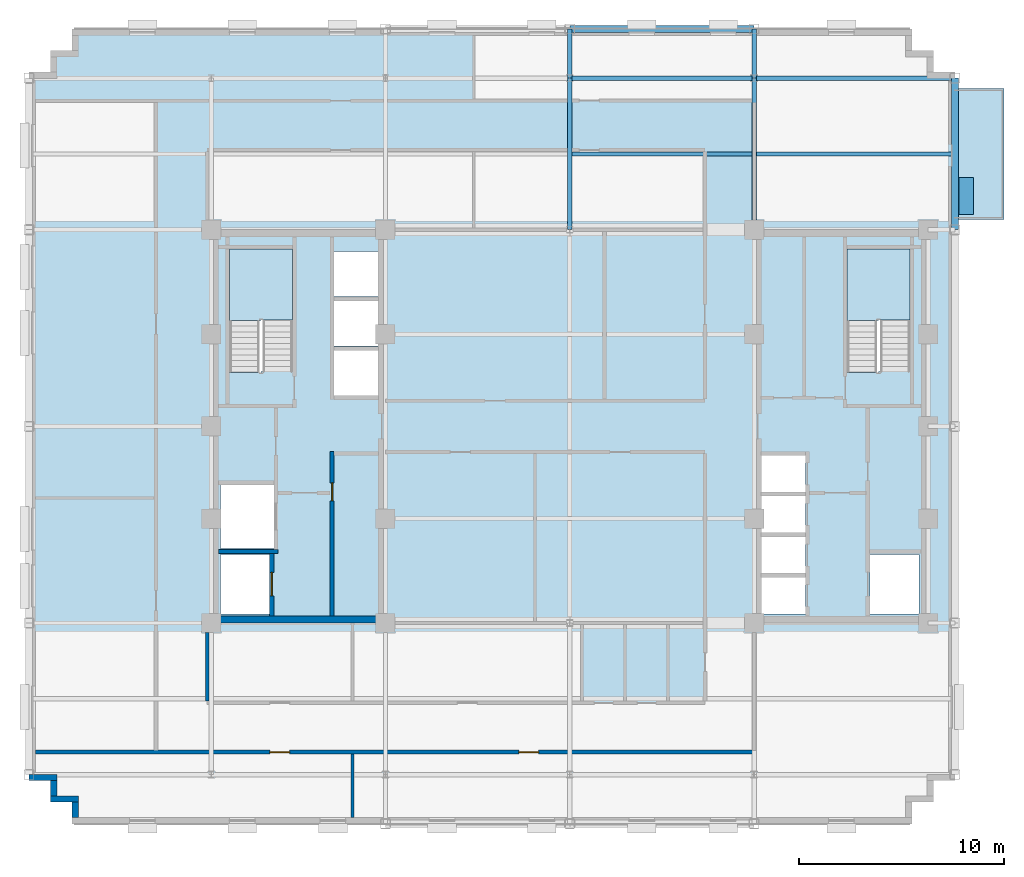
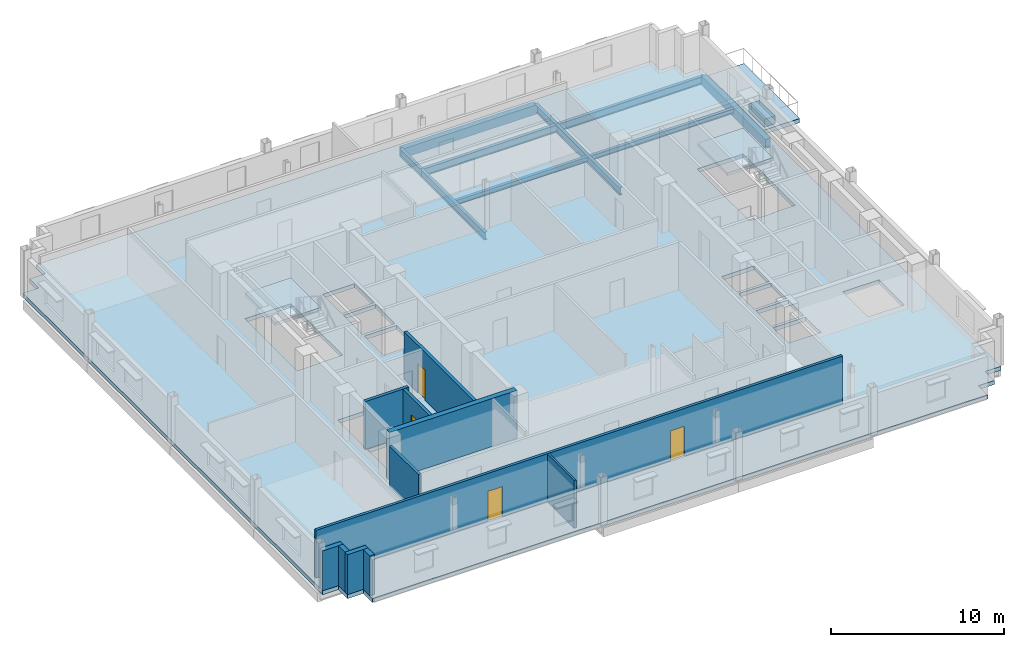
# One storey, part 5 of 13: 11 walls, 10 beams, 4 doors, 4 slabs, 1 plate, 4 openings, 2 elements without a shape of their own.
"""IFC4 building model written with IfcOpenShell, lengths in metres."""

from ifc_helpers import new_model, si_unit, direction, frame, frame_2d, origin, origin_2d, place, context, subcontext, project, spatial, polyline, rectangle, i_section, outline, extrude, source, transform, mapped, material, layer, layer_set, material_profile, profile_set, type_object, type_shapes, element, fill, aggregate, save


model = new_model("IFC4")

# Units and contexts
model_context = context("Model", 3, precision=1e-05, world=origin(), true_north=direction((0.0, 1.0)))
body_context = subcontext(model_context, "Body", "Model", "MODEL_VIEW")
ifc_project = project(units=[si_unit("LENGTHUNIT", "METRE"), si_unit("AREAUNIT", "SQUARE_METRE"), si_unit("VOLUMEUNIT", "CUBIC_METRE"), si_unit("PLANEANGLEUNIT", "RADIAN"), si_unit("MASSUNIT", "GRAM", prefix="KILO")], contexts=[model_context])

# Site, building, storey
site_placement = place(None, origin())
site = spatial("IfcSite", under=ifc_project, at=site_placement, CompositionType="ELEMENT")
building_placement = place(site_placement, origin())
building = spatial("IfcBuilding", under=site, at=building_placement, Name="Nuvemarco Arch Tower", CompositionType="ELEMENT")
storey_placement = place(building_placement, frame((0.0, 0.0, 220.10009765625)))
storey = spatial("IfcBuildingStorey", under=building, at=storey_placement, Name="L58", CompositionType="ELEMENT", Elevation=220.10009765625)

# Beams
ifc_material_1 = material(Name="Steel S355", Category="steel")
ifc_material_profile_1 = material_profile(ifc_material_1, i_section(OverallWidth=0.2109375, OverallDepth=0.5390625, WebThickness=0.01171875, FlangeThickness=0.018798828125, FilletRadius=0.01611328125, at=origin_2d()), Name="W530x109")
ifc_profile_set_1 = profile_set([ifc_material_profile_1], Name="Steel S355")
beam_type_1 = type_object("IfcBeamType", Name="BM-GIRD-530", PredefinedType="BEAM", material=ifc_profile_set_1)
beam_1_placement = place(storey_placement, frame((0.0, 9.60009765625, -0.549560546875), z_axis=(0.0, 1.0, 0.0), x_axis=(-1.0, 0.0, 0.0)))
element("IfcBeam", 1, at=beam_1_placement, inside=storey, type_object=beam_type_1, Name="L58 structural beam BGNS_L58_0_+0.0_+9.6", PredefinedType="BEAM", context=body_context, shape_type="SweptSolid", body=[
    extrude(i_section(OverallWidth=0.2109375, OverallDepth=0.5390625, WebThickness=0.01171875, FlangeThickness=0.018798828125, FilletRadius=0.01611328125, at=origin_2d()), origin(), (0.0, 0.0, 1.0), 7.39990234375),
])
beam_2_placement = place(storey_placement, frame((0.0, 17.0, -0.549560546875), z_axis=(0.0, 1.0, 0.0), x_axis=(-1.0, 0.0, 0.0)))
element("IfcBeam", 2, at=beam_2_placement, inside=storey, type_object=beam_type_1, Name="L58 structural beam BGNS_L58_0_+0.0_+17.0", PredefinedType="BEAM", context=body_context, shape_type="SweptSolid", body=[
    extrude(i_section(OverallWidth=0.2109375, OverallDepth=0.5390625, WebThickness=0.01171875, FlangeThickness=0.018798828125, FilletRadius=0.01611328125, at=origin_2d()), origin(), (0.0, 0.0, 1.0), 2.39990234375),
])
beam_3_placement = place(storey_placement, frame((9.0, 9.60009765625, -0.549560546875), z_axis=(0.0, 1.0, 0.0), x_axis=(-1.0, 0.0, 0.0)))
element("IfcBeam", 3, at=beam_3_placement, inside=storey, type_object=beam_type_1, Name="L58 structural beam BGNS_L58_0_+9.0_+9.6", PredefinedType="BEAM", context=body_context, shape_type="SweptSolid", body=[
    extrude(i_section(OverallWidth=0.2109375, OverallDepth=0.5390625, WebThickness=0.01171875, FlangeThickness=0.018798828125, FilletRadius=0.01611328125, at=origin_2d()), origin(), (0.0, 0.0, 1.0), 7.39990234375),
])
beam_4_placement = place(storey_placement, frame((9.0, 17.0, -0.549560546875), z_axis=(0.0, 1.0, 0.0), x_axis=(-1.0, 0.0, 0.0)))
element("IfcBeam", 4, at=beam_4_placement, inside=storey, type_object=beam_type_1, Name="L58 structural beam BGNS_L58_0_+9.0_+17.0", PredefinedType="BEAM", context=body_context, shape_type="SweptSolid", body=[
    extrude(i_section(OverallWidth=0.2109375, OverallDepth=0.5390625, WebThickness=0.01171875, FlangeThickness=0.018798828125, FilletRadius=0.01611328125, at=origin_2d()), origin(), (0.0, 0.0, 1.0), 2.39990234375),
])
beam_5_placement = place(storey_placement, frame((0.0, 17.0, -0.549560546875), z_axis=(1.0, 0.0, 0.0), x_axis=(0.0, 1.0, 0.0)))
element("IfcBeam", 5, at=beam_5_placement, inside=storey, type_object=beam_type_1, Name="L58 structural beam BGEW_L58_0_+17.0_+0.0", PredefinedType="BEAM", context=body_context, shape_type="SweptSolid", body=[
    extrude(i_section(OverallWidth=0.2109375, OverallDepth=0.5390625, WebThickness=0.01171875, FlangeThickness=0.018798828125, FilletRadius=0.01611328125, at=origin_2d()), origin(), (0.0, 0.0, 1.0), 9.0),
])
beam_6_placement = place(storey_placement, frame((9.0, 17.0, -0.549560546875), z_axis=(1.0, 0.0, 0.0), x_axis=(0.0, 1.0, 0.0)))
element("IfcBeam", 6, at=beam_6_placement, inside=storey, type_object=beam_type_1, Name="L58 structural beam BGEW_L58_0_+17.0_+9.0", PredefinedType="BEAM", context=body_context, shape_type="SweptSolid", body=[
    extrude(i_section(OverallWidth=0.2109375, OverallDepth=0.5390625, WebThickness=0.01171875, FlangeThickness=0.018798828125, FilletRadius=0.01611328125, at=origin_2d()), origin(), (0.0, 0.0, 1.0), 9.800048828125),
])
ifc_material_profile_2 = material_profile(ifc_material_1, i_section(OverallWidth=0.202880859375, OverallDepth=0.346923828125, WebThickness=0.0078125, FlangeThickness=0.013427734375, FilletRadius=0.014892578125, at=origin_2d()), Name="W360x64")
ifc_profile_set_2 = profile_set([ifc_material_profile_2], Name="Steel S355")
beam_type_2 = type_object("IfcBeamType", Name="BM-JOIST-360", PredefinedType="JOIST", material=ifc_profile_set_2)
beam_7_placement = place(storey_placement, frame((0.10546875, 13.300048828125, -0.45361328125), z_axis=(1.0, 0.0, 0.0), x_axis=(0.0, 1.0, 0.0)))
element("IfcBeam", 7, at=beam_7_placement, inside=storey, type_object=beam_type_2, Name="L58 structural beam BJ_L58_0_+13.3_+0.0", PredefinedType="JOIST", context=body_context, shape_type="SweptSolid", body=[
    extrude(i_section(OverallWidth=0.202880859375, OverallDepth=0.346923828125, WebThickness=0.0078125, FlangeThickness=0.013427734375, FilletRadius=0.014892578125, at=origin_2d()), origin(), (0.0, 0.0, 1.0), 8.7890625),
])
beam_8_placement = place(storey_placement, frame((9.10546875, 13.300048828125, -0.45361328125), z_axis=(1.0, 0.0, 0.0), x_axis=(0.0, 1.0, 0.0)))
element("IfcBeam", 8, at=beam_8_placement, inside=storey, type_object=beam_type_2, Name="L58 structural beam BJ_L58_0_+13.3_+9.0", PredefinedType="JOIST", context=body_context, shape_type="SweptSolid", body=[
    extrude(i_section(OverallWidth=0.202880859375, OverallDepth=0.346923828125, WebThickness=0.0078125, FlangeThickness=0.013427734375, FilletRadius=0.014892578125, at=origin_2d()), origin(), (0.0, 0.0, 1.0), 9.51953125),
])
ifc_material_2 = material(Name="Precast concrete C45/55", Category="concrete")
ifc_material_profile_3 = material_profile(ifc_material_2, rectangle(XDim=0.35009765625, YDim=0.64990234375, at=origin_2d()), Name="PC-SP-350x650")
ifc_profile_set_3 = profile_set([ifc_material_profile_3], Name="Precast concrete C45/55")
beam_type_3 = type_object("IfcBeamType", Name="BM-SPAN-RC", PredefinedType="SPANDREL", material=ifc_profile_set_3)
beam_9_placement = place(storey_placement, frame((18.800048828125, 9.60009765625, -0.60498046875), z_axis=(0.0, 1.0, 0.0), x_axis=(-1.0, 0.0, 0.0)))
element("IfcBeam", 9, at=beam_9_placement, inside=storey, type_object=beam_type_3, Name="L58 structural beam BGNS_L58_0_+18.8_+9.6", PredefinedType="SPANDREL", context=body_context, shape_type="SweptSolid", body=[
    extrude(rectangle(XDim=0.35009765625, YDim=0.64990234375, at=origin_2d()), origin(), (0.0, 0.0, 1.0), 7.39990234375),
])
beam_10_placement = place(storey_placement, frame((0.0, 19.39990234375, -0.60498046875), z_axis=(1.0, 0.0, 0.0), x_axis=(0.0, 1.0, 0.0)))
element("IfcBeam", 10, at=beam_10_placement, inside=storey, type_object=beam_type_3, Name="L58 structural beam BGEW_L58_0_+19.4_+0.0", PredefinedType="SPANDREL", context=body_context, shape_type="SweptSolid", body=[
    extrude(rectangle(XDim=0.35009765625, YDim=0.64990234375, at=origin_2d()), origin(), (0.0, 0.0, 1.0), 9.0),
])

# Slab
ifc_material_3 = material(Name="Concrete C50/60", Category="concrete")
ifc_layer_1 = layer(ifc_material_3, 0.280029296875, Name="SL-FLR-280")
ifc_layer_set_1 = layer_set([ifc_layer_1], Name="Concrete C50/60")
slab_type_1 = type_object("IfcSlabType", Name="SL-FLR-280", PredefinedType="FLOOR", material=ifc_layer_set_1)
slab_1_placement = place(storey_placement, frame((0.0, 0.0, -0.280029296875)))
element("IfcSlab", 11, at=slab_1_placement, inside=storey, type_object=slab_type_1, Name="L58 structural floor slab", PredefinedType="FLOOR", context=body_context, shape_type="SweptSolid", body=[
    extrude(outline(polyline([(-24.300048828125, -19.39990234375), (16.699951171875, -19.39990234375), (16.699951171875, -18.35009765625), (17.75, -18.35009765625), (17.75, -17.300048828125), (18.800048828125, -17.300048828125), (18.800048828125, 17.300048828125), (17.75, 17.300048828125), (17.75, 18.35009765625), (16.699951171875, 18.35009765625), (16.699951171875, 19.39990234375), (-24.300048828125, 19.39990234375), (-24.300048828125, 18.35009765625), (-25.35009765625, 18.35009765625), (-25.35009765625, 17.300048828125), (-26.39990234375, 17.300048828125), (-26.39990234375, -17.300048828125), (-25.35009765625, -17.300048828125), (-25.35009765625, -18.35009765625), (-24.300048828125, -18.35009765625), (-24.300048828125, -19.39990234375)]), holes=[polyline([(-13.5400390625, 2.669921875), (-13.5400390625, 8.64990234375), (-16.60009765625, 8.64990234375), (-16.60009765625, 2.630615234375), (-15.070068359375, 2.630615234375), (-15.070068359375, 2.669921875), (-13.5400390625, 2.669921875)]), polyline([(16.60009765625, 2.669921875), (16.60009765625, 8.64990234375), (13.5400390625, 8.64990234375), (13.5400390625, 2.630615234375), (15.070068359375, 2.630615234375), (15.070068359375, 2.669921875), (16.60009765625, 2.669921875)]), polyline([(-17.050048828125, -9.14990234375), (-14.64990234375, -9.14990234375), (-14.64990234375, -6.25), (-17.050048828125, -6.25), (-17.050048828125, -9.14990234375)]), polyline([(-17.050048828125, -5.949951171875), (-14.449951171875, -5.949951171875), (-14.449951171875, -2.85009765625), (-17.050048828125, -2.85009765625), (-17.050048828125, -5.949951171875)]), polyline([(-11.5, 1.5), (-9.35009765625, 1.5), (-9.35009765625, 3.699951171875), (-11.5, 3.699951171875), (-11.5, 1.5)]), polyline([(-11.5, 3.919921875), (-9.35009765625, 3.919921875), (-9.35009765625, 6.1201171875), (-11.5, 6.1201171875), (-11.5, 3.919921875)]), polyline([(-11.5, 6.340087890625), (-9.35009765625, 6.340087890625), (-9.35009765625, 8.5400390625), (-11.5, 8.5400390625), (-11.5, 6.340087890625)]), polyline([(14.64990234375, -9.14990234375), (17.050048828125, -9.14990234375), (17.050048828125, -6.25), (14.64990234375, -6.25), (14.64990234375, -9.14990234375)]), polyline([(9.35009765625, -9.14990234375), (11.5, -9.14990234375), (11.5, -7.3701171875), (9.35009765625, -7.3701171875), (9.35009765625, -9.14990234375)]), polyline([(9.35009765625, -7.169921875), (11.5, -7.169921875), (11.5, -5.389892578125), (9.35009765625, -5.389892578125), (9.35009765625, -7.169921875)]), polyline([(9.35009765625, -5.18994140625), (11.5, -5.18994140625), (11.5, -3.409912109375), (9.35009765625, -3.409912109375), (9.35009765625, -5.18994140625)]), polyline([(9.35009765625, -3.2099609375), (11.5, -3.2099609375), (11.5, -1.429931640625), (9.35009765625, -1.429931640625), (9.35009765625, -3.2099609375)])]), origin(), (0.0, 0.0, 1.0), 0.280029296875),
])

# Stair, slab
stair_type = type_object("IfcStairType", Name="ST-CORE-20R", PredefinedType="HALF_TURN_STAIR", material=ifc_material_2)
stair_1_placement = place(storey_placement, origin())
stair_1 = element("IfcStair", 12, at=stair_1_placement, inside=storey, type_object=stair_type, Name="L58 Protected Exit Stair ST-1", PredefinedType="HALF_TURN_STAIR")
ifc_layer_2 = layer(ifc_material_2, 0.199951171875, Name="SL-LANDING-200")
ifc_layer_set_2 = layer_set([ifc_layer_2], Name="Precast concrete C45/55")
slab_type_2 = type_object("IfcSlabType", Name="SL-LANDING-200", PredefinedType="LANDING", material=ifc_layer_set_2)
slab_2_placement = place(storey_placement, frame((0.0, 0.0, 1.625)))
slab_2 = element("IfcSlab", 13, at=slab_2_placement, type_object=slab_type_2, Name="ST-20R landing 1", PredefinedType="LANDING", context=body_context, shape_type="SweptSolid", body=[
    extrude(outline(polyline([(-13.5400390625, 5.189453125), (-13.5400390625, 8.64990234375), (-16.60009765625, 8.64990234375), (-16.60009765625, 5.169921875), (-15.070068359375, 5.169921875), (-15.070068359375, 5.189453125), (-13.5400390625, 5.189453125)])), origin(), (0.0, 0.0, 1.0), 0.199951171875),
])
aggregate(stair_1, [slab_2])

stair_2_placement = place(storey_placement, origin())
stair_2 = element("IfcStair", 14, at=stair_2_placement, inside=storey, type_object=stair_type, Name="L58 Protected Exit Stair ST-2", PredefinedType="HALF_TURN_STAIR")
slab_3_placement = place(storey_placement, frame((0.0, 0.0, 1.625)))
slab_3 = element("IfcSlab", 15, at=slab_3_placement, type_object=slab_type_2, Name="ST-20R landing 1", PredefinedType="LANDING", context=body_context, shape_type="SweptSolid", body=[
    extrude(outline(polyline([(16.60009765625, 5.189453125), (16.60009765625, 8.64990234375), (13.5400390625, 8.64990234375), (13.5400390625, 5.169921875), (15.070068359375, 5.169921875), (15.070068359375, 5.189453125), (16.60009765625, 5.189453125)])), origin(), (0.0, 0.0, 1.0), 0.199951171875),
])
aggregate(stair_2, [slab_3])

# Slab
ifc_layer_3 = layer(ifc_material_3, 0.294921875, Name="SL-TR4")
ifc_layer_set_3 = layer_set([ifc_layer_3], Name="Concrete C50/60")
slab_type_3 = type_object("IfcSlabType", Name="SL-TR4", PredefinedType="FLOOR", material=ifc_layer_set_3)
slab_4_placement = place(storey_placement, frame((0.0, 0.0, -0.295166015625)))
element("IfcSlab", 16, at=slab_4_placement, inside=storey, type_object=slab_type_3, Name="L58 outdoor spiral terrace slab 1", PredefinedType="FLOOR", context=body_context, shape_type="SweptSolid", body=[
    extrude(outline(polyline([(18.800048828125, 10.10009765625), (21.199951171875, 10.10009765625), (21.199951171875, 16.5), (18.800048828125, 16.5), (18.800048828125, 10.10009765625)])), origin(), (0.0, 0.0, 1.0), 0.295166015625),
])

# Plate
ifc_layer_4 = layer(ifc_material_2, 0.550048828125, Name="Tree Balcony Structural Planter")
ifc_layer_set_4 = layer_set([ifc_layer_4], Name="Precast concrete C45/55")
plate_type = type_object("IfcPlateType", Name="Tree Balcony Structural Planter", PredefinedType="USERDEFINED", material=ifc_layer_set_4)
shared_shape_1 = source(origin(), body_context, "Body", "SweptSolid", [
    extrude(rectangle(XDim=1.800048828125, YDim=0.699951171875, at=origin_2d()), origin(), (0.0, 0.0, 1.0), 0.550048828125),
])
type_shapes(plate_type, [shared_shape_1])
plate_placement = place(storey_placement, frame((19.35009765625, 11.25, 0.0), z_axis=(0.0, 0.0, 1.0), x_axis=(0.0, 1.0, 0.0)))
element("IfcPlate", 17, at=plate_placement, inside=storey, type_object=plate_type, Name="L58 Tree Balcony Structural Planter", ObjectType="PLANTER", PredefinedType="USERDEFINED", context=body_context, shape_type="MappedRepresentation", body=[
    mapped(shared_shape_1, transform((0.0, 0.0, 0.0), scale=1.0)),
])

# Walls
ifc_layer_5 = layer(ifc_material_2, 0.31005859375, Name="EW-UPP-310")
ifc_layer_set_5 = layer_set([ifc_layer_5], Name="Precast concrete C45/55")
wall_type_1 = type_object("IfcWallType", Name="EW-UPP-310", PredefinedType="STANDARD", material=ifc_layer_set_5)
wall_1_placement = place(storey_placement, frame((-26.39990234375, -17.14501953125, 0.0), z_axis=(0.0, 0.0, 1.0), x_axis=(1.0, 0.0, 0.0)))
element("IfcWall", 18, at=wall_1_placement, inside=storey, type_object=wall_type_1, Name="L58 exterior precast facade wall 17", PredefinedType="STANDARD", context=body_context, shape_type="SweptSolid", body=[
    extrude(rectangle(XDim=1.35986328125, YDim=0.31005859375, at=frame_2d((0.679931640625, 0.0))), origin(), (0.0, 0.0, 1.0), 2.81591796875),
])
wall_2_placement = place(storey_placement, frame((-25.195068359375, -18.0439453125, 0.0), z_axis=(0.0, 0.0, 1.0), x_axis=(0.0, 1.0, 0.0)))
element("IfcWall", 19, at=wall_2_placement, inside=storey, type_object=wall_type_1, Name="L58 exterior precast facade wall 18", PredefinedType="STANDARD", context=body_context, shape_type="SweptSolid", body=[
    extrude(rectangle(XDim=0.748046875, YDim=0.31005859375, at=frame_2d((0.3740234375, 0.0))), origin(), (0.0, 0.0, 1.0), 2.81591796875),
])
wall_3_placement = place(storey_placement, frame((-25.35009765625, -18.195068359375, 0.0), z_axis=(0.0, 0.0, 1.0), x_axis=(1.0, 0.0, 0.0)))
element("IfcWall", 20, at=wall_3_placement, inside=storey, type_object=wall_type_1, Name="L58 exterior precast facade wall 19", PredefinedType="STANDARD", context=body_context, shape_type="SweptSolid", body=[
    extrude(rectangle(XDim=1.360107421875, YDim=0.31005859375, at=frame_2d((0.68017578125, 0.0))), origin(), (0.0, 0.0, 1.0), 2.81591796875),
])
wall_4_placement = place(storey_placement, frame((-24.14501953125, -19.093994140625, 0.0), z_axis=(0.0, 0.0, 1.0), x_axis=(0.0, 1.0, 0.0)))
element("IfcWall", 21, at=wall_4_placement, inside=storey, type_object=wall_type_1, Name="L58 exterior precast facade wall 20", PredefinedType="STANDARD", context=body_context, shape_type="SweptSolid", body=[
    extrude(rectangle(XDim=0.748046875, YDim=0.31005859375, at=frame_2d((0.3740234375, 0.0))), origin(), (0.0, 0.0, 1.0), 2.81591796875),
])
ifc_layer_6 = layer(ifc_material_3, 0.35009765625, Name="WL-CORE-350")
ifc_layer_set_6 = layer_set([ifc_layer_6], Name="Concrete C50/60")
wall_type_2 = type_object("IfcWallType", Name="WL-CORE-350", PredefinedType="SHEAR", material=ifc_layer_set_6)
wall_5_placement = place(storey_placement, frame((-17.5, -9.425048828125, 0.0), z_axis=(0.0, 0.0, 1.0), x_axis=(1.0, 0.0, 0.0)))
element("IfcWall", 22, at=wall_5_placement, inside=storey, type_object=wall_type_2, Name="L58 W-core shear wall S", PredefinedType="SHEAR", context=body_context, shape_type="SweptSolid", body=[
    extrude(rectangle(XDim=8.5, YDim=0.35009765625, at=frame_2d((4.25, 0.0))), origin(), (0.0, 0.0, 1.0), 3.369873046875),
])

# Wall, openings, doors
ifc_material_4 = material(Name="Fire-rated gypsum drywall partition")
ifc_layer_7 = layer(ifc_material_4, 0.179931640625, Name="WL-CORR-180")
ifc_layer_set_7 = layer_set([ifc_layer_7], Name="Fire-rated gypsum drywall partition")
wall_type_3 = type_object("IfcWallType", Name="WL-CORR-180", PredefinedType="PARTITIONING", material=ifc_layer_set_7)
wall_6_placement = place(storey_placement, frame((-26.090087890625, -15.89990234375, 0.0), z_axis=(0.0, 0.0, 1.0), x_axis=(1.0, 0.0, 0.0)))
wall_6 = element("IfcWall", 23, at=wall_6_placement, inside=storey, type_object=wall_type_3, Name="L58 interior wall IW-L58-001", PredefinedType="PARTITIONING", context=body_context, shape_type="SweptSolid", body=[
    extrude(rectangle(XDim=35.090087890625, YDim=0.179931640625, at=frame_2d((17.544921875, 0.0))), origin(), (0.0, 0.0, 1.0), 3.35986328125),
])
opening_1_placement = place(wall_6_placement, frame((23.60498046875, 0.0, 0.0)))
opening_1 = element("IfcOpeningElement", 24, at=opening_1_placement, cuts=wall_6, Name="Opening FD-5", PredefinedType="OPENING", context=body_context, shape_type="SweptSolid", body=[
    extrude(rectangle(XDim=0.9599609375, YDim=2.10009765625, at=frame_2d((0.47998046875, 1.050048828125))), frame((0.0, 0.099853515625, 0.0), z_axis=(0.0, -1.0, 0.0), x_axis=(1.0, 0.0, 0.0)), (0.0, 0.0, 1.0), 0.199951171875),
])
opening_2_placement = place(wall_6_placement, frame((11.455078125, 0.0, 0.0)))
opening_2 = element("IfcOpeningElement", 25, at=opening_2_placement, cuts=wall_6, Name="Opening FD-5", PredefinedType="OPENING", context=body_context, shape_type="SweptSolid", body=[
    extrude(rectangle(XDim=0.9599609375, YDim=2.10009765625, at=frame_2d((0.47998046875, 1.050048828125))), frame((0.0, 0.099853515625, 0.0), z_axis=(0.0, -1.0, 0.0), x_axis=(1.0, 0.0, 0.0)), (0.0, 0.0, 1.0), 0.199951171875),
])
ifc_material_5 = material(Name="Timber fire door", Category="wood")
door_type_1 = type_object("IfcDoorType", Name="DR-CORR-FD", OperationType="NOTDEFINED", PredefinedType="DOOR", material=ifc_material_5)
shared_shape_2 = source(origin(), body_context, "Body", "SweptSolid", [
    extrude(rectangle(XDim=0.9599609375, YDim=2.10009765625, at=frame_2d((0.47998046875, 1.050048828125))), frame((0.0, 0.02490234375, 0.0), z_axis=(0.0, -1.0, 0.0), x_axis=(1.0, 0.0, 0.0)), (0.0, 0.0, 1.0), 0.050048828125),
])
type_shapes(door_type_1, [shared_shape_2])
door_1_placement = place(opening_1_placement, origin())
door_1 = element("IfcDoor", 26, at=door_1_placement, inside=storey, type_object=door_type_1, Name="L58 door DR-L58-S_2", OperationType="SINGLE_SWING_RIGHT", OverallHeight=2.10009765625, OverallWidth=0.9599609375, PredefinedType="DOOR", context=body_context, shape_type="MappedRepresentation", body=[
    mapped(shared_shape_2, transform((0.0, 0.0, 0.0), scale=1.0)),
])
fill(opening_1, door_1)
door_2_placement = place(opening_2_placement, origin())
door_2 = element("IfcDoor", 27, at=door_2_placement, inside=storey, type_object=door_type_1, Name="L58 door DR-L58-S_1", OperationType="SINGLE_SWING_RIGHT", OverallHeight=2.10009765625, OverallWidth=0.9599609375, PredefinedType="DOOR", context=body_context, shape_type="MappedRepresentation", body=[
    mapped(shared_shape_2, transform((0.0, 0.0, 0.0), scale=1.0)),
])
fill(opening_2, door_2)

# Walls
wall_7_placement = place(storey_placement, frame((-17.699951171875, -13.4140625, 0.0), z_axis=(0.0, 0.0, 1.0), x_axis=(0.0, 1.0, 0.0)))
element("IfcWall", 28, at=wall_7_placement, inside=storey, type_object=wall_type_3, Name="L58 interior wall IW-L58-013", PredefinedType="PARTITIONING", context=body_context, shape_type="SweptSolid", body=[
    extrude(rectangle(XDim=3.343017578125, YDim=0.179931640625, at=frame_2d((1.67138671875, 0.0))), origin(), (0.0, 0.0, 1.0), 2.81591796875),
])
ifc_material_6 = material(Name="Gypsum plasterboard partition")
ifc_layer_8 = layer(ifc_material_6, 0.139892578125, Name="WL-ROOM-140")
ifc_layer_set_8 = layer_set([ifc_layer_8], Name="Gypsum plasterboard partition")
wall_type_4 = type_object("IfcWallType", Name="WL-ROOM-140", PredefinedType="PARTITIONING", material=ifc_layer_set_8)
wall_8_placement = place(storey_placement, frame((-10.610107421875, -19.090087890625, 0.0), z_axis=(0.0, 0.0, 1.0), x_axis=(0.0, 1.0, 0.0)))
element("IfcWall", 29, at=wall_8_placement, inside=storey, type_object=wall_type_4, Name="L58 interior wall IW-L58-015", PredefinedType="PARTITIONING", context=body_context, shape_type="SweptSolid", body=[
    extrude(rectangle(XDim=3.10400390625, YDim=0.139892578125, at=frame_2d((1.552001953125, 0.0))), origin(), (0.0, 0.0, 1.0), 3.35986328125),
])

# Wall, opening, door
ifc_layer_9 = layer(ifc_material_3, 0.199951171875, Name="WL-SHAFT-220")
ifc_layer_set_9 = layer_set([ifc_layer_9], Name="Concrete C50/60")
wall_type_5 = type_object("IfcWallType", Name="WL-SHAFT-220", PredefinedType="SHEAR", material=ifc_layer_set_9)
wall_9_placement = place(storey_placement, frame((-14.550048828125, -9.2548828125, 0.0), z_axis=(0.0, 0.0, 1.0), x_axis=(0.0, 1.0, 0.0)))
wall_9 = element("IfcWall", 30, at=wall_9_placement, inside=storey, type_object=wall_type_5, Name="L58 structural shaft wall SW-L58-W-SHE", PredefinedType="SHEAR", context=body_context, shape_type="SweptSolid", body=[
    extrude(rectangle(XDim=3.059814453125, YDim=0.199951171875, at=frame_2d((1.52978515625, 0.0))), origin(), (0.0, 0.0, 1.0), 3.369873046875),
])
opening_3_placement = place(wall_9_placement, frame((0.97998046875, 0.0, 0.0)))
opening_3 = element("IfcOpeningElement", 31, at=opening_3_placement, cuts=wall_9, Name="Opening LD-2", PredefinedType="OPENING", context=body_context, shape_type="SweptSolid", body=[
    extrude(rectangle(XDim=1.14990234375, YDim=2.14990234375, at=frame_2d((0.574951171875, 1.074951171875))), frame((0.0, 0.10986328125, 0.0), z_axis=(0.0, -1.0, 0.0), x_axis=(1.0, 0.0, 0.0)), (0.0, 0.0, 1.0), 0.219970703125),
])
ifc_material_7 = material(Name="Stainless steel lift door", Category="steel")
door_type_2 = type_object("IfcDoorType", Name="DR-LIFT-FIRE", OperationType="DOUBLE_DOOR_SLIDING", PredefinedType="DOOR", material=ifc_material_7)
shared_shape_3 = source(origin(), body_context, "Body", "SweptSolid", [
    extrude(rectangle(XDim=1.14990234375, YDim=2.14990234375, at=frame_2d((0.574951171875, 1.074951171875))), frame((0.0, 0.02490234375, 0.0), z_axis=(0.0, -1.0, 0.0), x_axis=(1.0, 0.0, 0.0)), (0.0, 0.0, 1.0), 0.050048828125),
])
type_shapes(door_type_2, [shared_shape_3])
door_3_placement = place(opening_3_placement, origin())
door_3 = element("IfcDoor", 32, at=door_3_placement, inside=storey, type_object=door_type_2, Name="L58 Lift landing sliding door FFL-1", OperationType="DOUBLE_DOOR_SLIDING", OverallHeight=2.14990234375, OverallWidth=1.14990234375, PredefinedType="DOOR", context=body_context, shape_type="MappedRepresentation", body=[
    mapped(shared_shape_3, transform((0.0, 0.0, 0.0), scale=1.0)),
])
fill(opening_3, door_3)

# Wall
wall_10_placement = place(storey_placement, frame((-17.155029296875, -6.10009765625, 0.0), z_axis=(0.0, 0.0, 1.0), x_axis=(1.0, 0.0, 0.0)))
element("IfcWall", 33, at=wall_10_placement, inside=storey, type_object=wall_type_5, Name="L58 structural shaft wall SW-L58-W-SH1", PredefinedType="SHEAR", context=body_context, shape_type="SweptSolid", body=[
    extrude(rectangle(XDim=2.905029296875, YDim=0.199951171875, at=frame_2d((1.45263671875, 0.0))), origin(), (0.0, 0.0, 1.0), 3.369873046875),
])

# Wall, opening, door
wall_11_placement = place(storey_placement, frame((-11.60009765625, -9.2548828125, 0.0), z_axis=(0.0, 0.0, 1.0), x_axis=(0.0, 1.0, 0.0)))
wall_11 = element("IfcWall", 34, at=wall_11_placement, inside=storey, type_object=wall_type_5, Name="L58 structural shaft wall SW-L58-W-PLW", PredefinedType="SHEAR", context=body_context, shape_type="SweptSolid", body=[
    extrude(rectangle(XDim=8.02490234375, YDim=0.199951171875, at=frame_2d((4.012451171875, 0.0))), origin(), (0.0, 0.0, 1.0), 3.369873046875),
])
opening_4_placement = place(wall_11_placement, frame((5.614990234375, 0.0, 0.0)))
opening_4 = element("IfcOpeningElement", 35, at=opening_4_placement, cuts=wall_11, Name="Opening FD-4", PredefinedType="OPENING", context=body_context, shape_type="SweptSolid", body=[
    extrude(rectangle(XDim=0.8798828125, YDim=2.10009765625, at=frame_2d((0.43994140625, 1.050048828125))), frame((0.0, 0.10986328125, 0.0), z_axis=(0.0, -1.0, 0.0), x_axis=(1.0, 0.0, 0.0)), (0.0, 0.0, 1.0), 0.219970703125),
])
ifc_material_8 = material(Name="Anodised steel fire door", Category="steel")
door_type_3 = type_object("IfcDoorType", Name="DR-RISER-FD", OperationType="NOTDEFINED", PredefinedType="DOOR", material=ifc_material_8)
shared_shape_4 = source(origin(), body_context, "Body", "SweptSolid", [
    extrude(rectangle(XDim=0.8798828125, YDim=2.10009765625, at=frame_2d((0.43994140625, 1.050048828125))), frame((0.0, 0.02490234375, 0.0), z_axis=(0.0, -1.0, 0.0), x_axis=(1.0, 0.0, 0.0)), (0.0, 0.0, 1.0), 0.050048828125),
])
type_shapes(door_type_3, [shared_shape_4])
door_4_placement = place(opening_4_placement, origin())
door_4 = element("IfcDoor", 36, at=door_4_placement, inside=storey, type_object=door_type_3, Name="L58 door FD-L58-WREC1", OperationType="SINGLE_SWING_LEFT", OverallHeight=2.10009765625, OverallWidth=0.8798828125, PredefinedType="DOOR", context=body_context, shape_type="MappedRepresentation", body=[
    mapped(shared_shape_4, transform((0.0, 0.0, 0.0), scale=1.0)),
])
fill(opening_4, door_4)

save(model, "model.ifc")
